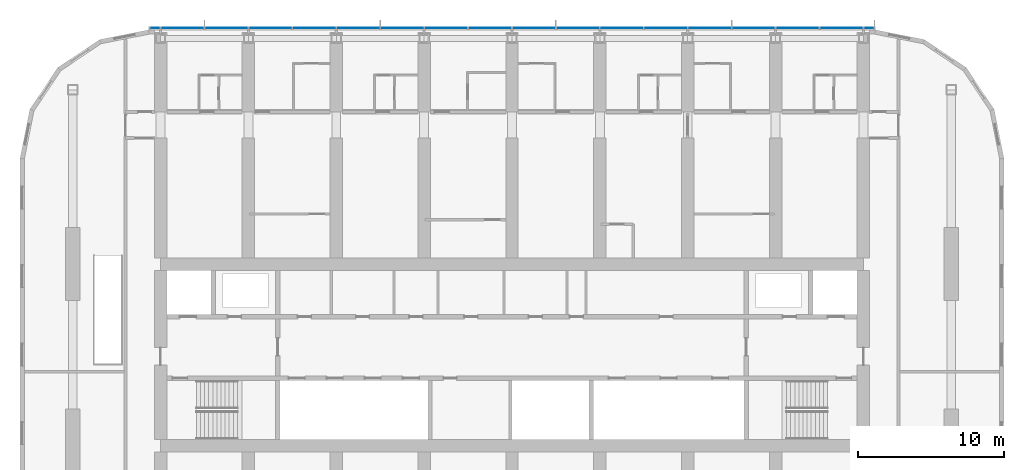
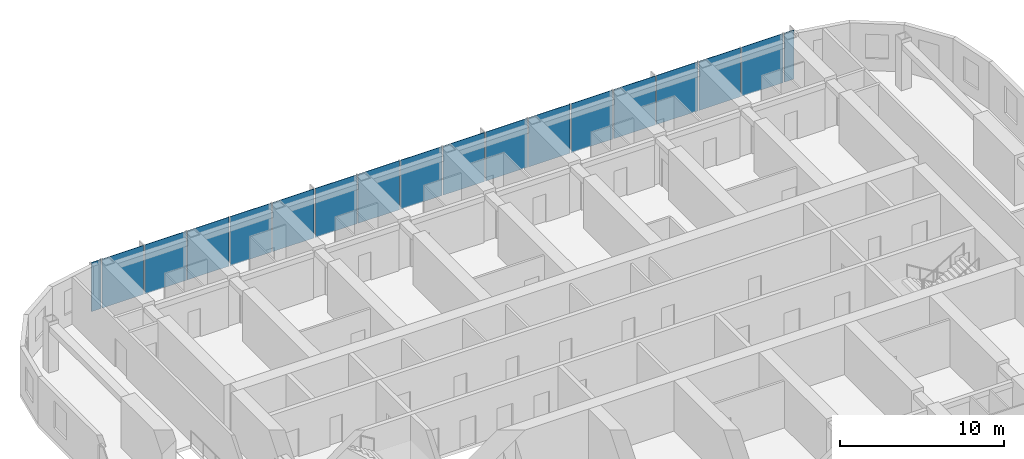
# One storey, part 9 of 22: 18 plates, 1 element without a shape of its own.
"""IFC4 building model written with IfcOpenShell, lengths in metres."""

import ifcopenshell
import ifcopenshell.guid

model = None  # the IFC model being written
_history = None  # IfcOwnerHistory: only IFC2X3 demands one
_inside = {}  # id of a spatial element -> (the spatial element, [elements in it])
_under = {}  # id of a project, library or spatial element -> (it, [spatial elements below it])
_declared = {}  # id of a project -> (the project, [libraries it declares])
_typed = {}  # id of a type object -> (the type object, [elements of that type])
_made_of = {}  # id of a material, layer set ... -> (it, [elements and type objects made of it])


def new_model(schema):
    """Start an empty IFC model of exactly this schema.

    Asked for "IFC4X3", IfcOpenShell would pick the latest addendum, in which some entities
    have other attributes; the version numbers below select the first issue.
    IFC2X3 requires an IfcOwnerHistory on every rooted entity: one is made here for all.
    """
    global model, _history
    if schema == "IFC4X3":
        model = ifcopenshell.file(schema_version=(4, 3, 0, 0))
    else:
        model = ifcopenshell.file(schema=schema)
    _inside.clear()
    _under.clear()
    _declared.clear()
    _typed.clear()
    _made_of.clear()
    _history = None
    if model.schema == "IFC2X3":
        org = make("IfcOrganization", Name="unknown")
        user = make(
            "IfcPersonAndOrganization",
            ThePerson=make("IfcPerson", FamilyName="unknown"),
            TheOrganization=org,
        )
        app = make(
            "IfcApplication",
            ApplicationDeveloper=org,
            Version="unknown",
            ApplicationFullName="unknown",
            ApplicationIdentifier="unknown",
        )
        _history = make(
            "IfcOwnerHistory",
            OwningUser=user,
            OwningApplication=app,
            ChangeAction="ADDED",
            CreationDate=0,
        )
    return model


def make(cls, **values):
    """One entity of the class cls with the attributes given. An attribute that is None is left unset."""
    return model.create_entity(
        cls, **{name: value for name, value in values.items() if value is not None}
    )


def rooted(cls, **values):
    """An entity with a GlobalId (a new one), such as an element, a storey or a relation."""
    return make(cls, GlobalId=ifcopenshell.guid.new(), OwnerHistory=_history, **values)


def si_unit(unit_type, name, prefix=None):
    """IfcSIUnit, for example si_unit("LENGTHUNIT", "METRE", prefix="MILLI")."""
    return make("IfcSIUnit", UnitType=unit_type, Prefix=prefix, Name=name)


def assignment(units):
    """IfcUnitAssignment: the units of a project."""
    return None if units is None else make("IfcUnitAssignment", Units=units)


def point(xyz):
    """IfcCartesianPoint."""
    return None if xyz is None else make("IfcCartesianPoint", Coordinates=xyz)


def direction(xyz):
    """IfcDirection."""
    return None if xyz is None else make("IfcDirection", DirectionRatios=xyz)


def frame(location, z_axis=None, x_axis=None):
    """IfcAxis2Placement3D, a coordinate frame: its origin and axes. An axis left out is left unset."""
    return make(
        "IfcAxis2Placement3D",
        Location=point(location),
        Axis=direction(z_axis),
        RefDirection=direction(x_axis),
    )


def frame_2d(location, x_axis=None):
    """IfcAxis2Placement2D, a coordinate frame in the plane: its origin and x axis."""
    return make(
        "IfcAxis2Placement2D", Location=point(location), RefDirection=direction(x_axis)
    )


def origin():
    """The frame at (0, 0, 0) with its axes left unset."""
    return frame((0.0, 0.0, 0.0))


def origin_2d():
    """The frame at (0, 0) in the plane with its x axis left unset."""
    return frame_2d((0.0, 0.0))


def place(relative_to, where):
    """IfcLocalPlacement: puts the frame where relative to a parent placement (None: the world)."""
    return make(
        "IfcLocalPlacement", PlacementRelTo=relative_to, RelativePlacement=where
    )


def context(
    kind, dimensions, precision=None, world=None, true_north=None, identifier=None
):
    """IfcGeometricRepresentationContext, for example the 3D "Model" context."""
    return make(
        "IfcGeometricRepresentationContext",
        ContextIdentifier=identifier,
        ContextType=kind,
        CoordinateSpaceDimension=dimensions,
        Precision=precision,
        WorldCoordinateSystem=world,
        TrueNorth=true_north,
    )


def subcontext(parent, identifier, kind, view, scale=None):
    """IfcGeometricRepresentationSubContext, for example "Body" below "Model"."""
    return make(
        "IfcGeometricRepresentationSubContext",
        ContextIdentifier=identifier,
        ContextType=kind,
        ParentContext=parent,
        TargetScale=scale,
        TargetView=view,
    )


def project(units=None, contexts=None):
    """IfcProject with its units and contexts."""
    return rooted(
        "IfcProject",
        Name="project",
        RepresentationContexts=contexts,
        UnitsInContext=assignment(units),
    )


def spatial(cls, under=None, at=None, **own):
    """A site, building, storey or space (cls), placed at a placement, below another one or the project."""
    s = rooted(cls, ObjectPlacement=at, **own)
    if under is not None:
        _under.setdefault(under.id(), (under, []))[1].append(s)
    return s


def profile(cls, at=None, kind="AREA", **sizes):
    """A parametric profile (cls). Its sizes go by their IFC names, for example OverallWidth=200.0."""
    return make(cls, ProfileType=kind, Position=at, **sizes)


def rectangle(**sizes):
    """IfcRectangleProfileDef."""
    return profile("IfcRectangleProfileDef", **sizes)


def extrude(swept, where, along, depth):
    """IfcExtrudedAreaSolid: the profile swept, set in the frame where, extruded along a direction by depth."""
    return make(
        "IfcExtrudedAreaSolid",
        SweptArea=swept,
        Position=where,
        ExtrudedDirection=direction(along),
        Depth=depth,
    )


def shape(context_of_items, identifier, shape_type, items):
    """IfcShapeRepresentation: the items that make up one representation, for example the "Body"."""
    return make(
        "IfcShapeRepresentation",
        ContextOfItems=context_of_items,
        RepresentationIdentifier=identifier,
        RepresentationType=shape_type,
        Items=items,
    )


def material(Name=None, Category=None):
    """IfcMaterial."""
    return make("IfcMaterial", Name=Name, Category=Category)


def layer(
    of_material, thickness, ventilated=None, Name=None, Category=None, Priority=None
):
    """IfcMaterialLayer: one layer of a wall or slab, of a material (None: an air gap)."""
    return make(
        "IfcMaterialLayer",
        Material=of_material,
        LayerThickness=thickness,
        IsVentilated=ventilated,
        Name=Name,
        Category=Category,
        Priority=Priority,
    )


def layer_set(layers, Name=None):
    """IfcMaterialLayerSet."""
    return make("IfcMaterialLayerSet", MaterialLayers=layers, LayerSetName=Name)


def made_of(thing, what):
    """Note that an element or type object is made of a material, layer set ...; save() writes the relation."""
    if what is not None:
        _made_of.setdefault(what.id(), (what, []))[1].append(thing)
    return thing


def type_object(cls, material=None, **own):
    """A type object (cls), such as IfcWallType, which elements share."""
    return made_of(rooted(cls, **own), material)


def element(
    cls,
    number,
    at=None,
    inside=None,
    cuts=None,
    type_object=None,
    material=None,
    context=None,
    identifier="Body",
    shape_type=None,
    held_by="IfcProductDefinitionShape",
    body=None,
    shapes=None,
    **own,
):
    """One element of the class cls, such as IfcWall. Its Tag is "e" and its number.

    at: its placement. inside: the storey or other place that contains it. cuts: it is an
    opening in that element (IfcRelVoidsElement). A single representation is given by context,
    identifier, shape_type and body (its items); several are given by shapes. held_by: the class
    of the entity that holds the representations. save() writes the other relations.
    """
    e = rooted(cls, Tag="e%d" % number, ObjectPlacement=at, **own)
    if body is not None:
        shapes = [shape(context, identifier, shape_type, body)]
    if shapes is not None:
        e.Representation = make(held_by, Representations=shapes)
    if inside is not None:
        _inside.setdefault(inside.id(), (inside, []))[1].append(e)
    if cuts is not None:
        rooted(
            "IfcRelVoidsElement", RelatingBuildingElement=cuts, RelatedOpeningElement=e
        )
    if type_object is not None:
        _typed.setdefault(type_object.id(), (type_object, []))[1].append(e)
    return made_of(e, material)


def aggregate(whole, parts):
    """IfcRelAggregates: a whole, such as a stair, and the parts it consists of."""
    return rooted("IfcRelAggregates", RelatingObject=whole, RelatedObjects=parts)


def save(model, path):
    """Write the relations noted so far, then the file.

    IfcRelAggregates (storeys below a building ...), IfcRelContainedInSpatialStructure (elements
    in a storey), IfcRelDefinesByType, IfcRelAssociatesMaterial and IfcRelDeclares: one each for
    every whole, place, type object, material and project.
    """
    for whole, parts in _under.values():
        aggregate(whole, parts)
    for where, things in _inside.values():
        rooted(
            "IfcRelContainedInSpatialStructure",
            RelatedElements=things,
            RelatingStructure=where,
        )
    for kind, things in _typed.values():
        rooted("IfcRelDefinesByType", RelatedObjects=things, RelatingType=kind)
    for what, things in _made_of.values():
        rooted("IfcRelAssociatesMaterial", RelatedObjects=things, RelatingMaterial=what)
    for by, libraries in _declared.values():
        rooted("IfcRelDeclares", RelatingContext=by, RelatedDefinitions=libraries)
    model.write(path)


model = new_model("IFC4")

# Units and contexts
model_context = context("Model", 3, precision=1e-05, world=origin(), true_north=direction((0.0, 1.0)))
body_context = subcontext(model_context, "Body", "Model", "MODEL_VIEW")
ifc_project = project(units=[si_unit("LENGTHUNIT", "METRE"), si_unit("AREAUNIT", "SQUARE_METRE"), si_unit("VOLUMEUNIT", "CUBIC_METRE"), si_unit("PLANEANGLEUNIT", "RADIAN"), si_unit("MASSUNIT", "GRAM", prefix="KILO")], contexts=[model_context])

# Site, building, storey
site_placement = place(None, origin())
site = spatial("IfcSite", under=ifc_project, at=site_placement, CompositionType="ELEMENT")
building_placement = place(site_placement, origin())
building = spatial("IfcBuilding", under=site, at=building_placement, Name="Orbita Commons", CompositionType="ELEMENT")
storey_placement = place(building_placement, frame((0.0, 0.0, 182.35009765625)))
storey = spatial("IfcBuildingStorey", under=building, at=storey_placement, Name="L45", CompositionType="ELEMENT", Elevation=182.35009765625)

# Curtain wall, plates
ifc_material_1 = material(Name="Anodised aluminium frame, pale silver", Category="aluminium")
curtain_wall_type = type_object("IfcCurtainWallType", Name="Unitised curtain wall CW-U, full-height vision", PredefinedType="NOTDEFINED", material=ifc_material_1)
curtain_wall_placement = place(storey_placement, origin())
curtain_wall = element("IfcCurtainWall", 1, at=curtain_wall_placement, inside=storey, type_object=curtain_wall_type, Name="Curtain wall north L45", PredefinedType="NOTDEFINED")
ifc_material_2 = material(Name="Clear double glazing", Category="glass")
ifc_layer = layer(ifc_material_2, 0.031982421875)
ifc_layer_set = layer_set([ifc_layer], Name="Clear double glazing")
plate_type = type_object("IfcPlateType", Name="Full-height vision panel, clear glazing 32", PredefinedType="CURTAIN_PANEL", material=ifc_layer_set)
plate_1_placement = place(storey_placement, frame((66.3798828125, 54.31005859375, -0.150146484375), z_axis=(0.0, 0.0, 1.0), x_axis=(-1.0, 0.0, 0.0)))
plate_1 = element("IfcPlate", 2, at=plate_1_placement, type_object=plate_type, Name="Panel 1.1 CW-L45-N", PredefinedType="CURTAIN_PANEL", context=body_context, shape_type="SweptSolid", body=[
    extrude(rectangle(XDim=0.679931640625, YDim=0.031982421875, at=origin_2d()), origin(), (0.0, 0.0, 1.0), 3.64990234375),
])
plate_2_placement = place(storey_placement, frame((64.5, 54.31005859375, -0.150146484375), z_axis=(0.0, 0.0, 1.0), x_axis=(-1.0, 0.0, 0.0)))
plate_2 = element("IfcPlate", 3, at=plate_2_placement, type_object=plate_type, Name="Panel 2.1 CW-L45-N", PredefinedType="CURTAIN_PANEL", context=body_context, shape_type="SweptSolid", body=[
    extrude(rectangle(XDim=2.919921875, YDim=0.031982421875, at=origin_2d()), origin(), (0.0, 0.0, 1.0), 3.64990234375),
])
plate_3_placement = place(storey_placement, frame((61.5, 54.31005859375, -0.150146484375), z_axis=(0.0, 0.0, 1.0), x_axis=(-1.0, 0.0, 0.0)))
plate_3 = element("IfcPlate", 4, at=plate_3_placement, type_object=plate_type, Name="Panel 3.1 CW-L45-N", PredefinedType="CURTAIN_PANEL", context=body_context, shape_type="SweptSolid", body=[
    extrude(rectangle(XDim=2.919921875, YDim=0.031982421875, at=origin_2d()), origin(), (0.0, 0.0, 1.0), 3.64990234375),
])
plate_4_placement = place(storey_placement, frame((58.5, 54.31005859375, -0.150146484375), z_axis=(0.0, 0.0, 1.0), x_axis=(-1.0, 0.0, 0.0)))
plate_4 = element("IfcPlate", 5, at=plate_4_placement, type_object=plate_type, Name="Panel 4.1 CW-L45-N", PredefinedType="CURTAIN_PANEL", context=body_context, shape_type="SweptSolid", body=[
    extrude(rectangle(XDim=2.919921875, YDim=0.031982421875, at=origin_2d()), origin(), (0.0, 0.0, 1.0), 3.64990234375),
])
plate_5_placement = place(storey_placement, frame((55.5, 54.31005859375, -0.150146484375), z_axis=(0.0, 0.0, 1.0), x_axis=(-1.0, 0.0, 0.0)))
plate_5 = element("IfcPlate", 6, at=plate_5_placement, type_object=plate_type, Name="Panel 5.1 CW-L45-N", PredefinedType="CURTAIN_PANEL", context=body_context, shape_type="SweptSolid", body=[
    extrude(rectangle(XDim=2.919921875, YDim=0.031982421875, at=origin_2d()), origin(), (0.0, 0.0, 1.0), 3.64990234375),
])
plate_6_placement = place(storey_placement, frame((52.5, 54.31005859375, -0.150146484375), z_axis=(0.0, 0.0, 1.0), x_axis=(-1.0, 0.0, 0.0)))
plate_6 = element("IfcPlate", 7, at=plate_6_placement, type_object=plate_type, Name="Panel 6.1 CW-L45-N", PredefinedType="CURTAIN_PANEL", context=body_context, shape_type="SweptSolid", body=[
    extrude(rectangle(XDim=2.919921875, YDim=0.031982421875, at=origin_2d()), origin(), (0.0, 0.0, 1.0), 3.64990234375),
])
plate_7_placement = place(storey_placement, frame((49.5, 54.31005859375, -0.150146484375), z_axis=(0.0, 0.0, 1.0), x_axis=(-1.0, 0.0, 0.0)))
plate_7 = element("IfcPlate", 8, at=plate_7_placement, type_object=plate_type, Name="Panel 7.1 CW-L45-N", PredefinedType="CURTAIN_PANEL", context=body_context, shape_type="SweptSolid", body=[
    extrude(rectangle(XDim=2.919921875, YDim=0.031982421875, at=origin_2d()), origin(), (0.0, 0.0, 1.0), 3.64990234375),
])
plate_8_placement = place(storey_placement, frame((46.5, 54.31005859375, -0.150146484375), z_axis=(0.0, 0.0, 1.0), x_axis=(-1.0, 0.0, 0.0)))
plate_8 = element("IfcPlate", 9, at=plate_8_placement, type_object=plate_type, Name="Panel 8.1 CW-L45-N", PredefinedType="CURTAIN_PANEL", context=body_context, shape_type="SweptSolid", body=[
    extrude(rectangle(XDim=2.919921875, YDim=0.031982421875, at=origin_2d()), origin(), (0.0, 0.0, 1.0), 3.64990234375),
])
plate_9_placement = place(storey_placement, frame((43.5, 54.31005859375, -0.150146484375), z_axis=(0.0, 0.0, 1.0), x_axis=(-1.0, 0.0, 0.0)))
plate_9 = element("IfcPlate", 10, at=plate_9_placement, type_object=plate_type, Name="Panel 9.1 CW-L45-N", PredefinedType="CURTAIN_PANEL", context=body_context, shape_type="SweptSolid", body=[
    extrude(rectangle(XDim=2.919921875, YDim=0.031982421875, at=origin_2d()), origin(), (0.0, 0.0, 1.0), 3.64990234375),
])
plate_10_placement = place(storey_placement, frame((40.5, 54.31005859375, -0.150146484375), z_axis=(0.0, 0.0, 1.0), x_axis=(-1.0, 0.0, 0.0)))
plate_10 = element("IfcPlate", 11, at=plate_10_placement, type_object=plate_type, Name="Panel 10.1 CW-L45-N", PredefinedType="CURTAIN_PANEL", context=body_context, shape_type="SweptSolid", body=[
    extrude(rectangle(XDim=2.919921875, YDim=0.031982421875, at=origin_2d()), origin(), (0.0, 0.0, 1.0), 3.64990234375),
])
plate_11_placement = place(storey_placement, frame((37.5, 54.31005859375, -0.150146484375), z_axis=(0.0, 0.0, 1.0), x_axis=(-1.0, 0.0, 0.0)))
plate_11 = element("IfcPlate", 12, at=plate_11_placement, type_object=plate_type, Name="Panel 11.1 CW-L45-N", PredefinedType="CURTAIN_PANEL", context=body_context, shape_type="SweptSolid", body=[
    extrude(rectangle(XDim=2.919921875, YDim=0.031982421875, at=origin_2d()), origin(), (0.0, 0.0, 1.0), 3.64990234375),
])
plate_12_placement = place(storey_placement, frame((34.5, 54.31005859375, -0.150146484375), z_axis=(0.0, 0.0, 1.0), x_axis=(-1.0, 0.0, 0.0)))
plate_12 = element("IfcPlate", 13, at=plate_12_placement, type_object=plate_type, Name="Panel 12.1 CW-L45-N", PredefinedType="CURTAIN_PANEL", context=body_context, shape_type="SweptSolid", body=[
    extrude(rectangle(XDim=2.919921875, YDim=0.031982421875, at=origin_2d()), origin(), (0.0, 0.0, 1.0), 3.64990234375),
])
plate_13_placement = place(storey_placement, frame((31.5, 54.31005859375, -0.150146484375), z_axis=(0.0, 0.0, 1.0), x_axis=(-1.0, 0.0, 0.0)))
plate_13 = element("IfcPlate", 14, at=plate_13_placement, type_object=plate_type, Name="Panel 13.1 CW-L45-N", PredefinedType="CURTAIN_PANEL", context=body_context, shape_type="SweptSolid", body=[
    extrude(rectangle(XDim=2.919921875, YDim=0.031982421875, at=origin_2d()), origin(), (0.0, 0.0, 1.0), 3.64990234375),
])
plate_14_placement = place(storey_placement, frame((28.5, 54.31005859375, -0.150146484375), z_axis=(0.0, 0.0, 1.0), x_axis=(-1.0, 0.0, 0.0)))
plate_14 = element("IfcPlate", 15, at=plate_14_placement, type_object=plate_type, Name="Panel 14.1 CW-L45-N", PredefinedType="CURTAIN_PANEL", context=body_context, shape_type="SweptSolid", body=[
    extrude(rectangle(XDim=2.919921875, YDim=0.031982421875, at=origin_2d()), origin(), (0.0, 0.0, 1.0), 3.64990234375),
])
plate_15_placement = place(storey_placement, frame((25.5, 54.31005859375, -0.150146484375), z_axis=(0.0, 0.0, 1.0), x_axis=(-1.0, 0.0, 0.0)))
plate_15 = element("IfcPlate", 16, at=plate_15_placement, type_object=plate_type, Name="Panel 15.1 CW-L45-N", PredefinedType="CURTAIN_PANEL", context=body_context, shape_type="SweptSolid", body=[
    extrude(rectangle(XDim=2.919921875, YDim=0.031982421875, at=origin_2d()), origin(), (0.0, 0.0, 1.0), 3.64990234375),
])
plate_16_placement = place(storey_placement, frame((22.5, 54.31005859375, -0.150146484375), z_axis=(0.0, 0.0, 1.0), x_axis=(-1.0, 0.0, 0.0)))
plate_16 = element("IfcPlate", 17, at=plate_16_placement, type_object=plate_type, Name="Panel 16.1 CW-L45-N", PredefinedType="CURTAIN_PANEL", context=body_context, shape_type="SweptSolid", body=[
    extrude(rectangle(XDim=2.919921875, YDim=0.031982421875, at=origin_2d()), origin(), (0.0, 0.0, 1.0), 3.64990234375),
])
plate_17_placement = place(storey_placement, frame((19.5, 54.31005859375, -0.150146484375), z_axis=(0.0, 0.0, 1.0), x_axis=(-1.0, 0.0, 0.0)))
plate_17 = element("IfcPlate", 18, at=plate_17_placement, type_object=plate_type, Name="Panel 17.1 CW-L45-N", PredefinedType="CURTAIN_PANEL", context=body_context, shape_type="SweptSolid", body=[
    extrude(rectangle(XDim=2.919921875, YDim=0.031982421875, at=origin_2d()), origin(), (0.0, 0.0, 1.0), 3.64990234375),
])
plate_18_placement = place(storey_placement, frame((17.6201171875, 54.31005859375, -0.150146484375), z_axis=(0.0, 0.0, 1.0), x_axis=(-1.0, 0.0, 0.0)))
plate_18 = element("IfcPlate", 19, at=plate_18_placement, type_object=plate_type, Name="Panel 18.1 CW-L45-N", PredefinedType="CURTAIN_PANEL", context=body_context, shape_type="SweptSolid", body=[
    extrude(rectangle(XDim=0.679931640625, YDim=0.031982421875, at=origin_2d()), origin(), (0.0, 0.0, 1.0), 3.64990234375),
])
aggregate(curtain_wall, [plate_1, plate_2, plate_3, plate_4, plate_5, plate_6, plate_7, plate_8, plate_9, plate_10, plate_11, plate_12, plate_13, plate_14, plate_15, plate_16, plate_17, plate_18])

save(model, "model.ifc")
